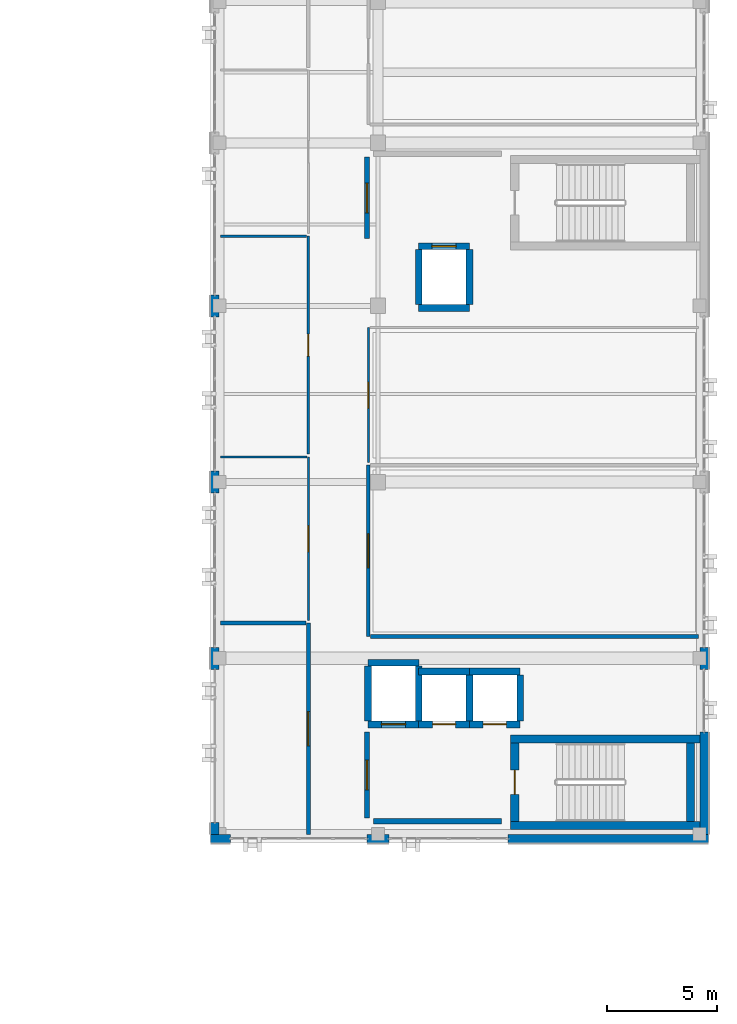
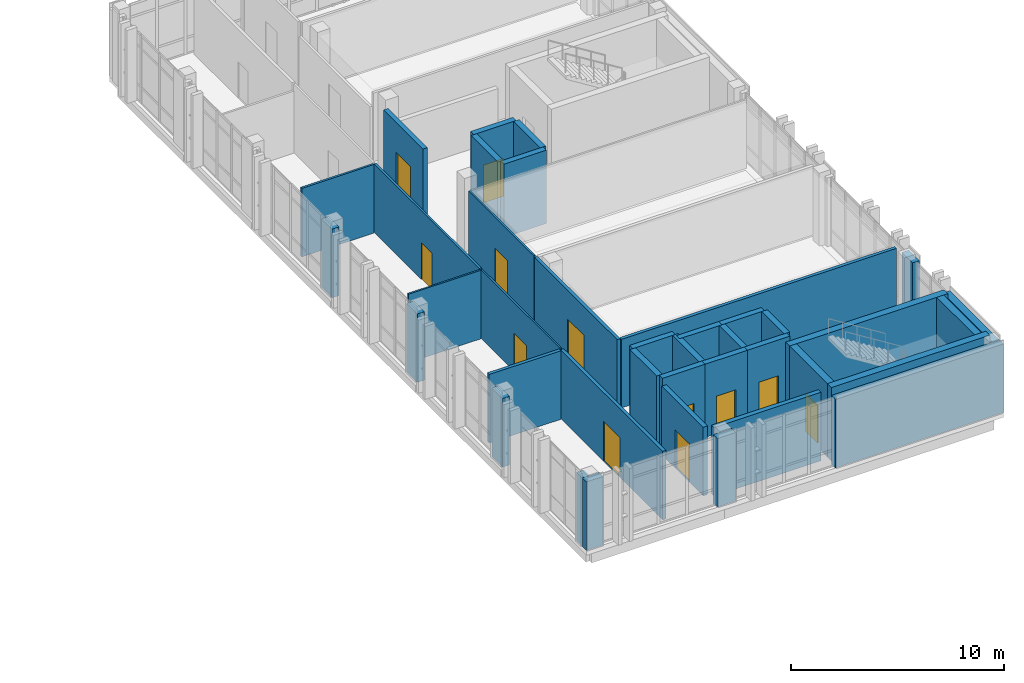
# One storey, part 68 of 90: 39 walls, 12 doors, 12 openings.
"""IFC4 building model written with IfcOpenShell, lengths in metres."""

from ifc_helpers import new_model, si_unit, direction, frame, frame_2d, origin, place, context, subcontext, project, spatial, rectangle, extrude, material, layer, layer_set, type_object, element, fill, save


model = new_model("IFC4")

# Units and contexts
model_context = context("Model", 3, precision=1e-05, world=origin(), true_north=direction((0.0, 1.0)))
body_context = subcontext(model_context, "Body", "Model", "MODEL_VIEW")
ifc_project = project(units=[si_unit("LENGTHUNIT", "METRE"), si_unit("AREAUNIT", "SQUARE_METRE"), si_unit("VOLUMEUNIT", "CUBIC_METRE"), si_unit("PLANEANGLEUNIT", "RADIAN"), si_unit("MASSUNIT", "GRAM", prefix="KILO")], contexts=[model_context])

# Site, building, storey
site_placement = place(None, origin())
site = spatial("IfcSite", under=ifc_project, at=site_placement, CompositionType="ELEMENT")
building_placement = place(site_placement, origin())
building = spatial("IfcBuilding", under=site, at=building_placement, Name="Qalavern Law Courts", CompositionType="ELEMENT")
storey_placement = place(building_placement, frame((0.0, 0.0, 22.800048828125)))
storey = spatial("IfcBuildingStorey", under=building, at=storey_placement, Name="L05", CompositionType="ELEMENT", Elevation=22.800048828125)

# Walls
ifc_material_1 = material(Name="Concrete C40/50", Category="concrete")
ifc_layer_1 = layer(ifc_material_1, 0.385009765625)
ifc_layer_set_1 = layer_set([ifc_layer_1], Name="Concrete C40/50")
wall_type_1 = type_object("IfcWallType", Name="ENV-EW-385", PredefinedType="SOLIDWALL", material=ifc_layer_set_1)
wall_1_placement = place(storey_placement, frame((84.199951171875, 41.21240234375, 0.0), z_axis=(0.0, 0.0, 1.0), x_axis=(1.0, 0.0, 0.0)))
element("IfcWall", 1, at=wall_1_placement, inside=storey, type_object=wall_type_1, Name="V4 exterior pier wall L05 south 1", PredefinedType="SOLIDWALL", context=body_context, shape_type="SweptSolid", body=[
    extrude(rectangle(XDim=0.900146484375, YDim=0.385009765625, at=frame_2d((0.4501953125, 0.0))), origin(), (0.0, 0.0, 1.0), 3.929931640625),
])
wall_2_placement = place(storey_placement, frame((91.300048828125, 41.21240234375, 0.0), z_axis=(0.0, 0.0, 1.0), x_axis=(1.0, 0.0, 0.0)))
element("IfcWall", 2, at=wall_2_placement, inside=storey, type_object=wall_type_1, Name="V4 exterior pier wall L05 south 2", PredefinedType="SOLIDWALL", context=body_context, shape_type="SweptSolid", body=[
    extrude(rectangle(XDim=1.0, YDim=0.385009765625, at=frame_2d((0.5, 0.0))), origin(), (0.0, 0.0, 1.0), 3.929931640625),
])
wall_3_placement = place(storey_placement, frame((97.699951171875, 41.21240234375, 0.0), z_axis=(0.0, 0.0, 1.0), x_axis=(1.0, 0.0, 0.0)))
element("IfcWall", 3, at=wall_3_placement, inside=storey, type_object=wall_type_1, Name="V4 exterior pier wall L05 south 3", PredefinedType="SOLIDWALL", context=body_context, shape_type="SweptSolid", body=[
    extrude(rectangle(XDim=9.10009765625, YDim=0.385009765625, at=frame_2d((4.550048828125, 0.0))), origin(), (0.0, 0.0, 1.0), 3.929931640625),
])
wall_4_placement = place(storey_placement, frame((106.607421875, 41.39990234375, 0.0), z_axis=(0.0, 0.0, 1.0), x_axis=(0.0, 1.0, 0.0)))
element("IfcWall", 4, at=wall_4_placement, inside=storey, type_object=wall_type_1, Name="V4 exterior pier wall L05 east 1", PredefinedType="SOLIDWALL", context=body_context, shape_type="SweptSolid", body=[
    extrude(rectangle(XDim=4.650146484375, YDim=0.385009765625, at=frame_2d((2.3251953125, 0.0))), origin(), (0.0, 0.0, 1.0), 3.929931640625),
])
for number, where, z_axis, x_axis, name in (
    (5, (106.607421875, 48.89990234375, 0.0), (0.0, 0.0, 1.0), (0.0, 1.0, 0.0), "V4 exterior pier wall L05 east 2"),
    (6, (84.392578125, 65.89990234375, 0.0), (0.0, 0.0, 1.0), (0.0, -1.0, 0.0), "V4 exterior pier wall L05 west 4"),
    (7, (84.392578125, 57.89990234375, 0.0), (0.0, 0.0, 1.0), (0.0, -1.0, 0.0), "V4 exterior pier wall L05 west 5"),
    (8, (84.392578125, 49.89990234375, 0.0), (0.0, 0.0, 1.0), (0.0, -1.0, 0.0), "V4 exterior pier wall L05 west 6"),
):
    element("IfcWall", number, at=place(storey_placement, frame(where, z_axis=z_axis, x_axis=x_axis)), inside=storey, type_object=wall_type_1, Name=name, PredefinedType="SOLIDWALL", context=body_context, shape_type="SweptSolid", body=[
        extrude(rectangle(XDim=1.0, YDim=0.385009765625, at=frame_2d((0.5, 0.0))), origin(), (0.0, 0.0, 1.0), 3.929931640625),
    ])
wall_5_placement = place(storey_placement, frame((84.392578125, 41.949951171875, 0.0), z_axis=(0.0, 0.0, 1.0), x_axis=(0.0, -1.0, 0.0)))
element("IfcWall", 9, at=wall_5_placement, inside=storey, type_object=wall_type_1, Name="V4 exterior pier wall L05 west 7", PredefinedType="SOLIDWALL", context=body_context, shape_type="SweptSolid", body=[
    extrude(rectangle(XDim=0.550048828125, YDim=0.385009765625, at=frame_2d((0.27490234375, 0.0))), origin(), (0.0, 0.0, 1.0), 3.929931640625),
])
ifc_material_2 = material(Name="Concrete C45/55", Category="concrete")
ifc_layer_2 = layer(ifc_material_2, 0.375)
ifc_layer_set_2 = layer_set([ifc_layer_2], Name="Concrete C45/55")
wall_type_2 = type_object("IfcWallType", Name="INT-CW-375", PredefinedType="SHEAR", material=ifc_layer_set_2)
wall_6_placement = place(storey_placement, frame((97.824951171875, 41.8125, 0.0), z_axis=(0.0, 0.0, 1.0), x_axis=(1.0, 0.0, 0.0)))
element("IfcWall", 10, at=wall_6_placement, inside=storey, type_object=wall_type_2, Name="Core K1A stair shear wall L05 south", PredefinedType="SHEAR", context=body_context, shape_type="SweptSolid", body=[
    extrude(rectangle(XDim=8.587158203125, YDim=0.375, at=frame_2d((4.29345703125, 0.0))), origin(), (0.0, 0.0, 1.0), 4.199951171875),
])
wall_7_placement = place(storey_placement, frame((105.987548828125, 42.0, 0.0), z_axis=(0.0, 0.0, 1.0), x_axis=(0.0, 1.0, 0.0)))
element("IfcWall", 11, at=wall_7_placement, inside=storey, type_object=wall_type_2, Name="Core K1A stair shear wall L05 east", PredefinedType="SHEAR", context=body_context, shape_type="SweptSolid", body=[
    extrude(rectangle(XDim=3.550048828125, YDim=0.375, at=frame_2d((1.77490234375, 0.0))), origin(), (0.0, 0.0, 1.0), 4.199951171875),
])
wall_8_placement = place(storey_placement, frame((106.412109375, 45.737548828125, 0.0), z_axis=(0.0, 0.0, 1.0), x_axis=(-1.0, 0.0, 0.0)))
element("IfcWall", 12, at=wall_8_placement, inside=storey, type_object=wall_type_2, Name="Core K1A stair shear wall L05 north", PredefinedType="SHEAR", context=body_context, shape_type="SweptSolid", body=[
    extrude(rectangle(XDim=8.587158203125, YDim=0.375, at=frame_2d((4.29345703125, 0.0))), origin(), (0.0, 0.0, 1.0), 4.199951171875),
])

# Wall, opening, door
wall_9_placement = place(storey_placement, frame((98.012451171875, 45.550048828125, 0.0), z_axis=(0.0, 0.0, 1.0), x_axis=(0.0, -1.0, 0.0)))
wall_9 = element("IfcWall", 13, at=wall_9_placement, inside=storey, type_object=wall_type_2, Name="Core K1A stair shear wall L05 west", PredefinedType="SHEAR", context=body_context, shape_type="SweptSolid", body=[
    extrude(rectangle(XDim=3.550048828125, YDim=0.375, at=frame_2d((1.77490234375, 0.0))), origin(), (0.0, 0.0, 1.0), 4.199951171875),
])
opening_1_placement = place(wall_9_placement, frame((1.22509765625, 0.0, 0.0)))
opening_1 = element("IfcOpeningElement", 14, at=opening_1_placement, cuts=wall_9, Name="Opening L05-D015", PredefinedType="OPENING", context=body_context, shape_type="SweptSolid", body=[
    extrude(rectangle(XDim=1.10009765625, YDim=2.14990234375, at=frame_2d((0.550048828125, 1.074951171875))), frame((0.0, 0.202392578125, 0.0), z_axis=(0.0, -1.0, 0.0), x_axis=(1.0, 0.0, 0.0)), (0.0, 0.0, 1.0), 0.40478515625),
])
ifc_material_3 = material(Name="Steel fire-rated stair enclosure door", Category="steel")
door_type_1 = type_object("IfcDoorType", Name="INT-FD-1100x2150", OperationType="NOTDEFINED", PredefinedType="DOOR", material=ifc_material_3)
door_1_placement = place(opening_1_placement, frame((1.10009765625, 0.0, 0.0), z_axis=(0.0, 0.0, 1.0), x_axis=(-1.0, 0.0, 0.0)))
door_1 = element("IfcDoor", 15, at=door_1_placement, inside=storey, type_object=door_type_1, Name="Stair K1A fire door L05", OperationType="SINGLE_SWING_RIGHT", OverallHeight=2.14990234375, OverallWidth=1.10009765625, PredefinedType="DOOR", context=body_context, shape_type="SweptSolid", body=[
    extrude(rectangle(XDim=1.10009765625, YDim=2.14990234375, at=frame_2d((0.550048828125, 1.074951171875))), frame((0.0, 0.02490234375, 0.0), z_axis=(0.0, -1.0, 0.0), x_axis=(1.0, 0.0, 0.0)), (0.0, 0.0, 1.0), 0.050048828125),
])
fill(opening_1, door_1)

ifc_layer_3 = layer(ifc_material_1, 0.2451171875)
ifc_layer_set_3 = layer_set([ifc_layer_3], Name="Concrete C40/50")
wall_type_3 = type_object("IfcWallType", Name="INT-FW-245", PredefinedType="PARTITIONING", material=ifc_layer_set_3)
wall_10_placement = place(storey_placement, frame((91.300048828125, 42.14990234375, 0.0), z_axis=(0.0, 0.0, 1.0), x_axis=(0.0, 1.0, 0.0)))
wall_10 = element("IfcWall", 16, at=wall_10_placement, inside=storey, type_object=wall_type_3, Name="Core K1A firefighting/stair lobby fire wall L05", PredefinedType="PARTITIONING", context=body_context, shape_type="SweptSolid", body=[
    extrude(rectangle(XDim=3.900146484375, YDim=0.2451171875, at=frame_2d((1.9501953125, 0.0))), origin(), (0.0, 0.0, 1.0), 3.929931640625),
])
opening_2_placement = place(wall_10_placement, frame((1.27490234375, 0.0, 0.0)))
opening_2 = element("IfcOpeningElement", 17, at=opening_2_placement, cuts=wall_10, Name="Opening L05-D016", PredefinedType="OPENING", context=body_context, shape_type="SweptSolid", body=[
    extrude(rectangle(XDim=1.35009765625, YDim=2.199951171875, at=frame_2d((0.675048828125, 1.10009765625))), frame((0.0, 0.137451171875, 0.0), z_axis=(0.0, -1.0, 0.0), x_axis=(1.0, 0.0, 0.0)), (0.0, 0.0, 1.0), 0.27490234375),
])
ifc_material_4 = material(Name="Steel fire-rated frame and acoustic timber leaves", Category="steel")
door_type_2 = type_object("IfcDoorType", Name="INT-FD-1350x2200", OperationType="DOUBLE_DOOR_SINGLE_SWING", PredefinedType="DOOR", material=ifc_material_4)
door_2_placement = place(opening_2_placement, origin())
door_2 = element("IfcDoor", 18, at=door_2_placement, inside=storey, type_object=door_type_2, Name="Core K1A lobby fire door L05", OperationType="DOUBLE_DOOR_SINGLE_SWING", OverallHeight=2.199951171875, OverallWidth=1.35009765625, PredefinedType="DOOR", context=body_context, shape_type="SweptSolid", body=[
    extrude(rectangle(XDim=1.35009765625, YDim=2.199951171875, at=frame_2d((0.675048828125, 1.10009765625))), frame((0.0, 0.02490234375, 0.0), z_axis=(0.0, -1.0, 0.0), x_axis=(1.0, 0.0, 0.0)), (0.0, 0.0, 1.0), 0.050048828125),
])
fill(opening_2, door_2)

# Wall
wall_11_placement = place(storey_placement, frame((91.60009765625, 42.0, 0.0), z_axis=(0.0, 0.0, 1.0), x_axis=(1.0, 0.0, 0.0)))
element("IfcWall", 19, at=wall_11_placement, inside=storey, type_object=wall_type_3, Name="Core K1A lobby return wall L05 south", PredefinedType="PARTITIONING", context=body_context, shape_type="SweptSolid", body=[
    extrude(rectangle(XDim=5.7998046875, YDim=0.2451171875, at=frame_2d((2.89990234375, 0.0))), origin(), (0.0, 0.0, 1.0), 3.929931640625),
])

# Wall, opening, door
wall_12_placement = place(storey_placement, frame((91.300048828125, 68.449951171875, 0.0), z_axis=(0.0, 0.0, 1.0), x_axis=(0.0, 1.0, 0.0)))
wall_12 = element("IfcWall", 20, at=wall_12_placement, inside=storey, type_object=wall_type_3, Name="Core K1B firefighting/stair lobby fire wall L05", PredefinedType="PARTITIONING", context=body_context, shape_type="SweptSolid", body=[
    extrude(rectangle(XDim=3.699951171875, YDim=0.2451171875, at=frame_2d((1.85009765625, 0.0))), origin(), (0.0, 0.0, 1.0), 3.929931640625),
])
opening_3_placement = place(wall_12_placement, frame((1.175048828125, 0.0, 0.0)))
opening_3 = element("IfcOpeningElement", 21, at=opening_3_placement, cuts=wall_12, Name="Opening L05-D040", PredefinedType="OPENING", context=body_context, shape_type="SweptSolid", body=[
    extrude(rectangle(XDim=1.35009765625, YDim=2.199951171875, at=frame_2d((0.675048828125, 1.10009765625))), frame((0.0, 0.137451171875, 0.0), z_axis=(0.0, -1.0, 0.0), x_axis=(1.0, 0.0, 0.0)), (0.0, 0.0, 1.0), 0.27490234375),
])
door_3_placement = place(opening_3_placement, origin())
door_3 = element("IfcDoor", 22, at=door_3_placement, inside=storey, type_object=door_type_2, Name="Core K1B lobby fire door L05", OperationType="DOUBLE_DOOR_SINGLE_SWING", OverallHeight=2.199951171875, OverallWidth=1.35009765625, PredefinedType="DOOR", context=body_context, shape_type="SweptSolid", body=[
    extrude(rectangle(XDim=1.35009765625, YDim=2.199951171875, at=frame_2d((0.675048828125, 1.10009765625))), frame((0.0, 0.02490234375, 0.0), z_axis=(0.0, -1.0, 0.0), x_axis=(1.0, 0.0, 0.0)), (0.0, 0.0, 1.0), 0.050048828125),
])
fill(opening_3, door_3)

ifc_material_5 = material(Name="Gypsum shaft/chase partition")
ifc_layer_4 = layer(ifc_material_5, 0.092041015625)
ifc_layer_set_4 = layer_set([ifc_layer_4], Name="Gypsum shaft/chase partition")
wall_type_4 = type_object("IfcWallType", Name="INT-PW-092", PredefinedType="PARTITIONING", material=ifc_layer_set_4)
wall_13_placement = place(storey_placement, frame((88.639892578125, 51.125, 0.0), z_axis=(0.0, 0.0, 1.0), x_axis=(0.0, 1.0, 0.0)))
wall_13 = element("IfcWall", 23, at=wall_13_placement, inside=storey, type_object=wall_type_4, Name="Civil Courtroom corridor partition L05", PredefinedType="PARTITIONING", context=body_context, shape_type="SweptSolid", body=[
    extrude(rectangle(XDim=7.422119140625, YDim=0.092041015625, at=frame_2d((3.7109375, 0.0))), origin(), (0.0, 0.0, 1.0), 3.929931640625),
])
opening_4_placement = place(wall_13_placement, frame((3.12109375, 0.0, 0.0)))
opening_4 = element("IfcOpeningElement", 24, at=opening_4_placement, cuts=wall_13, Name="Opening L05-D294", PredefinedType="OPENING", context=body_context, shape_type="SweptSolid", body=[
    extrude(rectangle(XDim=1.179931640625, YDim=2.159912109375, at=frame_2d((0.58984375, 1.080078125))), frame((0.0, 0.06103515625, 0.0), z_axis=(0.0, -1.0, 0.0), x_axis=(1.0, 0.0, 0.0)), (0.0, 0.0, 1.0), 0.121826171875),
])
ifc_material_6 = material(Name="Acoustic oak Jury Deliberation door")
door_type_3 = type_object("IfcDoorType", Name="INT-ID-1180x2160", OperationType="NOTDEFINED", PredefinedType="DOOR", material=ifc_material_6)
door_4_placement = place(opening_4_placement, frame((1.179931640625, 0.0, 0.0), z_axis=(0.0, 0.0, 1.0), x_axis=(-1.0, 0.0, 0.0)))
door_4 = element("IfcDoor", 25, at=door_4_placement, inside=storey, type_object=door_type_3, Name="Civil Courtroom door L05", OperationType="SINGLE_SWING_RIGHT", OverallHeight=2.159912109375, OverallWidth=1.179931640625, PredefinedType="DOOR", context=body_context, shape_type="SweptSolid", body=[
    extrude(rectangle(XDim=1.179931640625, YDim=2.159912109375, at=frame_2d((0.58984375, 1.080078125))), frame((0.0, 0.02490234375, 0.0), z_axis=(0.0, -1.0, 0.0), x_axis=(1.0, 0.0, 0.0)), (0.0, 0.0, 1.0), 0.050048828125),
])
fill(opening_4, door_4)

# Wall
wall_14_placement = place(storey_placement, frame((84.639892578125, 58.547119140625, 0.0), z_axis=(0.0, 0.0, 1.0), x_axis=(1.0, 0.0, 0.0)))
element("IfcWall", 26, at=wall_14_placement, inside=storey, type_object=wall_type_4, Name="Civil Courtroom cross partition L05 north", PredefinedType="PARTITIONING", context=body_context, shape_type="SweptSolid", body=[
    extrude(rectangle(XDim=3.93408203125, YDim=0.092041015625, at=frame_2d((1.967041015625, 0.0))), origin(), (0.0, 0.0, 1.0), 3.929931640625),
])

# Wall, opening, door
wall_15_placement = place(storey_placement, frame((91.360107421875, 58.284912109375, 0.0), z_axis=(0.0, 0.0, 1.0), x_axis=(0.0, 1.0, 0.0)))
wall_15 = element("IfcWall", 27, at=wall_15_placement, inside=storey, type_object=wall_type_4, Name="Civil Courtroom corridor partition L05", PredefinedType="PARTITIONING", context=body_context, shape_type="SweptSolid", body=[
    extrude(rectangle(XDim=6.125, YDim=0.092041015625, at=frame_2d((3.0625, 0.0))), origin(), (0.0, 0.0, 1.0), 3.929931640625),
])
opening_5_placement = place(wall_15_placement, frame((2.472412109375, 0.0, 0.0)))
opening_5 = element("IfcOpeningElement", 28, at=opening_5_placement, cuts=wall_15, Name="Opening L05-D299", PredefinedType="OPENING", context=body_context, shape_type="SweptSolid", body=[
    extrude(rectangle(XDim=1.179931640625, YDim=2.159912109375, at=frame_2d((0.58984375, 1.080078125))), frame((0.0, 0.06103515625, 0.0), z_axis=(0.0, -1.0, 0.0), x_axis=(1.0, 0.0, 0.0)), (0.0, 0.0, 1.0), 0.121826171875),
])
door_5_placement = place(opening_5_placement, origin())
door_5 = element("IfcDoor", 29, at=door_5_placement, inside=storey, type_object=door_type_3, Name="Civil Courtroom door L05", OperationType="SINGLE_SWING_RIGHT", OverallHeight=2.159912109375, OverallWidth=1.179931640625, PredefinedType="DOOR", context=body_context, shape_type="SweptSolid", body=[
    extrude(rectangle(XDim=1.179931640625, YDim=2.159912109375, at=frame_2d((0.58984375, 1.080078125))), frame((0.0, 0.02490234375, 0.0), z_axis=(0.0, -1.0, 0.0), x_axis=(1.0, 0.0, 0.0)), (0.0, 0.0, 1.0), 0.050048828125),
])
fill(opening_5, door_5)

ifc_material_7 = material(Name="Gypsum stud partition")
ifc_layer_5 = layer(ifc_material_7, 0.112060546875)
ifc_layer_set_5 = layer_set([ifc_layer_5], Name="Gypsum stud partition")
wall_type_5 = type_object("IfcWallType", Name="INT-PW-112", PredefinedType="PARTITIONING", material=ifc_layer_set_5)
wall_16_placement = place(storey_placement, frame((88.639892578125, 58.6669921875, 0.0), z_axis=(0.0, 0.0, 1.0), x_axis=(0.0, 1.0, 0.0)))
wall_16 = element("IfcWall", 30, at=wall_16_placement, inside=storey, type_object=wall_type_5, Name="Judges' Chambers corridor partition L05", PredefinedType="PARTITIONING", context=body_context, shape_type="SweptSolid", body=[
    extrude(rectangle(XDim=9.89794921875, YDim=0.112060546875, at=frame_2d((4.948974609375, 0.0))), origin(), (0.0, 0.0, 1.0), 3.929931640625),
])
opening_6_placement = place(wall_16_placement, frame((4.448974609375, 0.0, 0.0)))
opening_6 = element("IfcOpeningElement", 31, at=opening_6_placement, cuts=wall_16, Name="Opening L05-D295", PredefinedType="OPENING", context=body_context, shape_type="SweptSolid", body=[
    extrude(rectangle(XDim=1.0, YDim=2.10009765625, at=frame_2d((0.5, 1.050048828125))), frame((0.0, 0.07080078125, 0.0), z_axis=(0.0, -1.0, 0.0), x_axis=(1.0, 0.0, 0.0)), (0.0, 0.0, 1.0), 0.141845703125),
])
ifc_material_8 = material(Name="Timber Judicial Clerks' Office door", Category="wood")
door_type_4 = type_object("IfcDoorType", Name="INT-ID-1000x2100", OperationType="NOTDEFINED", PredefinedType="DOOR", material=ifc_material_8)
door_6_placement = place(opening_6_placement, frame((1.0, 0.0, 0.0), z_axis=(0.0, 0.0, 1.0), x_axis=(-1.0, 0.0, 0.0)))
door_6 = element("IfcDoor", 32, at=door_6_placement, inside=storey, type_object=door_type_4, Name="Judges' Chambers door L05", OperationType="SINGLE_SWING_LEFT", OverallHeight=2.10009765625, OverallWidth=1.0, PredefinedType="DOOR", context=body_context, shape_type="SweptSolid", body=[
    extrude(rectangle(XDim=1.0, YDim=2.10009765625, at=frame_2d((0.5, 1.050048828125))), frame((0.0, 0.02490234375, 0.0), z_axis=(0.0, -1.0, 0.0), x_axis=(1.0, 0.0, 0.0)), (0.0, 0.0, 1.0), 0.050048828125),
])
fill(opening_6, door_6)

# Wall
wall_17_placement = place(storey_placement, frame((84.639892578125, 68.56494140625, 0.0), z_axis=(0.0, 0.0, 1.0), x_axis=(1.0, 0.0, 0.0)))
element("IfcWall", 33, at=wall_17_placement, inside=storey, type_object=wall_type_5, Name="Judges' Chambers cross partition L05 north", PredefinedType="PARTITIONING", context=body_context, shape_type="SweptSolid", body=[
    extrude(rectangle(XDim=3.924072265625, YDim=0.112060546875, at=frame_2d((1.9619140625, 0.0))), origin(), (0.0, 0.0, 1.0), 3.929931640625),
])

# Wall, opening, door
ifc_material_9 = material(Name="Gypsum acoustic stud partition")
ifc_layer_6 = layer(ifc_material_9, 0.174072265625)
ifc_layer_set_6 = layer_set([ifc_layer_6], Name="Gypsum acoustic stud partition")
wall_type_6 = type_object("IfcWallType", Name="INT-PW-174", PredefinedType="PARTITIONING", material=ifc_layer_set_6)
wall_18_placement = place(storey_placement, frame((88.639892578125, 41.39990234375, 0.0), z_axis=(0.0, 0.0, 1.0), x_axis=(0.0, 1.0, 0.0)))
wall_18 = element("IfcWall", 34, at=wall_18_placement, inside=storey, type_object=wall_type_6, Name="Appellate Courtroom corridor partition L05", PredefinedType="PARTITIONING", context=body_context, shape_type="SweptSolid", body=[
    extrude(rectangle(XDim=9.60498046875, YDim=0.174072265625, at=frame_2d((4.802490234375, 0.0))), origin(), (0.0, 0.0, 1.0), 3.929931640625),
])
opening_7_placement = place(wall_18_placement, frame((4.027587890625, 0.0, 0.0)))
opening_7 = element("IfcOpeningElement", 35, at=opening_7_placement, cuts=wall_18, Name="Opening L05-D293", PredefinedType="OPENING", context=body_context, shape_type="SweptSolid", body=[
    extrude(rectangle(XDim=1.550048828125, YDim=2.280029296875, at=frame_2d((0.77490234375, 1.14013671875))), frame((0.0, 0.10205078125, 0.0), z_axis=(0.0, -1.0, 0.0), x_axis=(1.0, 0.0, 0.0)), (0.0, 0.0, 1.0), 0.203857421875),
])
ifc_material_10 = material(Name="Acoustic oak double Civil Courtroom door")
door_type_5 = type_object("IfcDoorType", Name="INT-ID-1550x2280", OperationType="DOUBLE_DOOR_SINGLE_SWING", PredefinedType="DOOR", material=ifc_material_10)
door_7_placement = place(opening_7_placement, frame((1.550048828125, 0.0, 0.0), z_axis=(0.0, 0.0, 1.0), x_axis=(-1.0, 0.0, 0.0)))
door_7 = element("IfcDoor", 36, at=door_7_placement, inside=storey, type_object=door_type_5, Name="Appellate Courtroom door L05", OperationType="DOUBLE_DOOR_SINGLE_SWING", OverallHeight=2.280029296875, OverallWidth=1.550048828125, PredefinedType="DOOR", context=body_context, shape_type="SweptSolid", body=[
    extrude(rectangle(XDim=1.550048828125, YDim=2.280029296875, at=frame_2d((0.77490234375, 1.14013671875))), frame((0.0, 0.02490234375, 0.0), z_axis=(0.0, -1.0, 0.0), x_axis=(1.0, 0.0, 0.0)), (0.0, 0.0, 1.0), 0.050048828125),
])
fill(opening_7, door_7)

# Wall
wall_19_placement = place(storey_placement, frame((84.639892578125, 51.0048828125, 0.0), z_axis=(0.0, 0.0, 1.0), x_axis=(1.0, 0.0, 0.0)))
element("IfcWall", 37, at=wall_19_placement, inside=storey, type_object=wall_type_6, Name="Appellate Courtroom cross partition L05 north", PredefinedType="PARTITIONING", context=body_context, shape_type="SweptSolid", body=[
    extrude(rectangle(XDim=3.89306640625, YDim=0.174072265625, at=frame_2d((1.946533203125, 0.0))), origin(), (0.0, 0.0, 1.0), 3.929931640625),
])

# Wall, opening, door
wall_20_placement = place(storey_placement, frame((91.360107421875, 50.389892578125, 0.0), z_axis=(0.0, 0.0, 1.0), x_axis=(0.0, 1.0, 0.0)))
wall_20 = element("IfcWall", 38, at=wall_20_placement, inside=storey, type_object=wall_type_6, Name="Appellate Courtroom corridor partition L05", PredefinedType="PARTITIONING", context=body_context, shape_type="SweptSolid", body=[
    extrude(rectangle(XDim=7.775146484375, YDim=0.174072265625, at=frame_2d((3.8876953125, 0.0))), origin(), (0.0, 0.0, 1.0), 3.929931640625),
])
opening_8_placement = place(wall_20_placement, frame((3.112548828125, 0.0, 0.0)))
opening_8 = element("IfcOpeningElement", 39, at=opening_8_placement, cuts=wall_20, Name="Opening L05-D298", PredefinedType="OPENING", context=body_context, shape_type="SweptSolid", body=[
    extrude(rectangle(XDim=1.550048828125, YDim=2.280029296875, at=frame_2d((0.77490234375, 1.14013671875))), frame((0.0, 0.10205078125, 0.0), z_axis=(0.0, -1.0, 0.0), x_axis=(1.0, 0.0, 0.0)), (0.0, 0.0, 1.0), 0.203857421875),
])
door_8_placement = place(opening_8_placement, origin())
door_8 = element("IfcDoor", 40, at=door_8_placement, inside=storey, type_object=door_type_5, Name="Appellate Courtroom door L05", OperationType="DOUBLE_DOOR_SINGLE_SWING", OverallHeight=2.280029296875, OverallWidth=1.550048828125, PredefinedType="DOOR", context=body_context, shape_type="SweptSolid", body=[
    extrude(rectangle(XDim=1.550048828125, YDim=2.280029296875, at=frame_2d((0.77490234375, 1.14013671875))), frame((0.0, 0.02490234375, 0.0), z_axis=(0.0, -1.0, 0.0), x_axis=(1.0, 0.0, 0.0)), (0.0, 0.0, 1.0), 0.050048828125),
])
fill(opening_8, door_8)

# Wall
wall_21_placement = place(storey_placement, frame((91.467041015625, 50.389892578125, 0.0), z_axis=(0.0, 0.0, 1.0), x_axis=(1.0, 0.0, 0.0)))
element("IfcWall", 41, at=wall_21_placement, inside=storey, type_object=wall_type_6, Name="Appellate Courtroom cross partition L05 south", PredefinedType="PARTITIONING", context=body_context, shape_type="SweptSolid", body=[
    extrude(rectangle(XDim=14.89306640625, YDim=0.174072265625, at=frame_2d((7.446533203125, 0.0))), origin(), (0.0, 0.0, 1.0), 3.929931640625),
])

# Wall, opening, door
ifc_layer_7 = layer(ifc_material_2, 0.304931640625)
ifc_layer_set_7 = layer_set([ifc_layer_7], Name="Concrete C45/55")
wall_type_7 = type_object("IfcWallType", Name="INT-SW-305", PredefinedType="SHEAR", material=ifc_layer_set_7)
wall_22_placement = place(storey_placement, frame((91.347412109375, 46.3974609375, 0.0), z_axis=(0.0, 0.0, 1.0), x_axis=(1.0, 0.0, 0.0)))
wall_22 = element("IfcWall", 42, at=wall_22_placement, inside=storey, type_object=wall_type_7, Name="Lift LF-FF1 shaft wall L05 south", PredefinedType="SHEAR", context=body_context, shape_type="SweptSolid", body=[
    extrude(rectangle(XDim=2.30517578125, YDim=0.304931640625, at=frame_2d((1.152587890625, 0.0))), origin(), (0.0, 0.0, 1.0), 4.199951171875),
])
opening_9_placement = place(wall_22_placement, frame((0.6025390625, 0.0, 0.0)))
opening_9 = element("IfcOpeningElement", 43, at=opening_9_placement, cuts=wall_22, Name="Opening LD-LF-FF1-L05", PredefinedType="OPENING", context=body_context, shape_type="SweptSolid", body=[
    extrude(rectangle(XDim=1.10009765625, YDim=2.159912109375, at=frame_2d((0.550048828125, 1.080078125))), frame((0.0, 0.16748046875, 0.0), z_axis=(0.0, -1.0, 0.0), x_axis=(1.0, 0.0, 0.0)), (0.0, 0.0, 1.0), 0.334716796875),
])
ifc_material_11 = material(Name="Stainless steel firefighting lift sliding landing door", Category="steel")
door_type_6 = type_object("IfcDoorType", Name="INT-LD-1100x2160", OperationType="DOUBLE_DOOR_SLIDING", PredefinedType="DOOR", material=ifc_material_11)
door_9_placement = place(opening_9_placement, origin())
door_9 = element("IfcDoor", 44, at=door_9_placement, inside=storey, type_object=door_type_6, Name="Lift LF-FF1 sliding landing door L05", OperationType="DOUBLE_DOOR_SLIDING", OverallHeight=2.159912109375, OverallWidth=1.10009765625, PredefinedType="DOOR", context=body_context, shape_type="SweptSolid", body=[
    extrude(rectangle(XDim=1.10009765625, YDim=2.159912109375, at=frame_2d((0.550048828125, 1.080078125))), frame((0.0, 0.02490234375, 0.0), z_axis=(0.0, -1.0, 0.0), x_axis=(1.0, 0.0, 0.0)), (0.0, 0.0, 1.0), 0.050048828125),
])
fill(opening_9, door_9)

# Walls
wall_23_placement = place(storey_placement, frame((93.652587890625, 46.550048828125, 0.0), z_axis=(0.0, 0.0, 1.0), x_axis=(0.0, 1.0, 0.0)))
element("IfcWall", 45, at=wall_23_placement, inside=storey, type_object=wall_type_7, Name="Lift LF-FF1 shaft wall L05 east", PredefinedType="SHEAR", context=body_context, shape_type="SweptSolid", body=[
    extrude(rectangle(XDim=2.5, YDim=0.304931640625, at=frame_2d((1.25, 0.0))), origin(), (0.0, 0.0, 1.0), 4.199951171875),
])
wall_24_placement = place(storey_placement, frame((93.652587890625, 49.202392578125, 0.0), z_axis=(0.0, 0.0, 1.0), x_axis=(-1.0, 0.0, 0.0)))
element("IfcWall", 46, at=wall_24_placement, inside=storey, type_object=wall_type_7, Name="Lift LF-FF1 shaft wall L05 north", PredefinedType="SHEAR", context=body_context, shape_type="SweptSolid", body=[
    extrude(rectangle(XDim=2.30517578125, YDim=0.304931640625, at=frame_2d((1.152587890625, 0.0))), origin(), (0.0, 0.0, 1.0), 4.199951171875),
])
wall_25_placement = place(storey_placement, frame((91.347412109375, 49.050048828125, 0.0), z_axis=(0.0, 0.0, 1.0), x_axis=(0.0, -1.0, 0.0)))
element("IfcWall", 47, at=wall_25_placement, inside=storey, type_object=wall_type_7, Name="Lift LF-FF1 shaft wall L05 west", PredefinedType="SHEAR", context=body_context, shape_type="SweptSolid", body=[
    extrude(rectangle(XDim=2.5, YDim=0.304931640625, at=frame_2d((1.25, 0.0))), origin(), (0.0, 0.0, 1.0), 4.199951171875),
])

# Wall, opening, door
wall_26_placement = place(storey_placement, frame((93.6474609375, 46.3974609375, 0.0), z_axis=(0.0, 0.0, 1.0), x_axis=(1.0, 0.0, 0.0)))
wall_26 = element("IfcWall", 48, at=wall_26_placement, inside=storey, type_object=wall_type_7, Name="Lift LF-P1 shaft wall L05 south", PredefinedType="SHEAR", context=body_context, shape_type="SweptSolid", body=[
    extrude(rectangle(XDim=2.304931640625, YDim=0.304931640625, at=frame_2d((1.15234375, 0.0))), origin(), (0.0, 0.0, 1.0), 4.199951171875),
])
opening_10_placement = place(wall_26_placement, frame((0.62744140625, 0.0, 0.0)))
opening_10 = element("IfcOpeningElement", 49, at=opening_10_placement, cuts=wall_26, Name="Opening LD-LF-P1-L05", PredefinedType="OPENING", context=body_context, shape_type="SweptSolid", body=[
    extrude(rectangle(XDim=1.050048828125, YDim=2.14990234375, at=frame_2d((0.52490234375, 1.074951171875))), frame((0.0, 0.16748046875, 0.0), z_axis=(0.0, -1.0, 0.0), x_axis=(1.0, 0.0, 0.0)), (0.0, 0.0, 1.0), 0.334716796875),
])
ifc_material_12 = material(Name="Brushed stainless steel passenger lift sliding landing door", Category="steel")
door_type_7 = type_object("IfcDoorType", Name="INT-LD-1050x2150", OperationType="DOUBLE_DOOR_SLIDING", PredefinedType="DOOR", material=ifc_material_12)
door_10_placement = place(opening_10_placement, origin())
door_10 = element("IfcDoor", 50, at=door_10_placement, inside=storey, type_object=door_type_7, Name="Lift LF-P1 sliding landing door L05", OperationType="DOUBLE_DOOR_SLIDING", OverallHeight=2.14990234375, OverallWidth=1.050048828125, PredefinedType="DOOR", context=body_context, shape_type="SweptSolid", body=[
    extrude(rectangle(XDim=1.050048828125, YDim=2.14990234375, at=frame_2d((0.52490234375, 1.074951171875))), frame((0.0, 0.02490234375, 0.0), z_axis=(0.0, -1.0, 0.0), x_axis=(1.0, 0.0, 0.0)), (0.0, 0.0, 1.0), 0.050048828125),
])
fill(opening_10, door_10)

# Walls
wall_27_placement = place(storey_placement, frame((95.952392578125, 46.550048828125, 0.0), z_axis=(0.0, 0.0, 1.0), x_axis=(0.0, 1.0, 0.0)))
element("IfcWall", 51, at=wall_27_placement, inside=storey, type_object=wall_type_7, Name="Lift LF-P1 shaft wall L05 east", PredefinedType="SHEAR", context=body_context, shape_type="SweptSolid", body=[
    extrude(rectangle(XDim=2.099853515625, YDim=0.304931640625, at=frame_2d((1.0498046875, 0.0))), origin(), (0.0, 0.0, 1.0), 4.199951171875),
])
wall_28_placement = place(storey_placement, frame((95.952392578125, 48.802490234375, 0.0), z_axis=(0.0, 0.0, 1.0), x_axis=(-1.0, 0.0, 0.0)))
element("IfcWall", 52, at=wall_28_placement, inside=storey, type_object=wall_type_7, Name="Lift LF-P1 shaft wall L05 north", PredefinedType="SHEAR", context=body_context, shape_type="SweptSolid", body=[
    extrude(rectangle(XDim=2.304931640625, YDim=0.304931640625, at=frame_2d((1.15234375, 0.0))), origin(), (0.0, 0.0, 1.0), 4.199951171875),
])

# Wall, opening, door
wall_29_placement = place(storey_placement, frame((95.947509765625, 46.3974609375, 0.0), z_axis=(0.0, 0.0, 1.0), x_axis=(1.0, 0.0, 0.0)))
wall_29 = element("IfcWall", 53, at=wall_29_placement, inside=storey, type_object=wall_type_7, Name="Lift LF-P2 shaft wall L05 south", PredefinedType="SHEAR", context=body_context, shape_type="SweptSolid", body=[
    extrude(rectangle(XDim=2.304931640625, YDim=0.304931640625, at=frame_2d((1.15234375, 0.0))), origin(), (0.0, 0.0, 1.0), 4.199951171875),
])
opening_11_placement = place(wall_29_placement, frame((0.62744140625, 0.0, 0.0)))
opening_11 = element("IfcOpeningElement", 54, at=opening_11_placement, cuts=wall_29, Name="Opening LD-LF-P2-L05", PredefinedType="OPENING", context=body_context, shape_type="SweptSolid", body=[
    extrude(rectangle(XDim=1.050048828125, YDim=2.14990234375, at=frame_2d((0.52490234375, 1.074951171875))), frame((0.0, 0.16748046875, 0.0), z_axis=(0.0, -1.0, 0.0), x_axis=(1.0, 0.0, 0.0)), (0.0, 0.0, 1.0), 0.334716796875),
])
door_11_placement = place(opening_11_placement, origin())
door_11 = element("IfcDoor", 55, at=door_11_placement, inside=storey, type_object=door_type_7, Name="Lift LF-P2 sliding landing door L05", OperationType="DOUBLE_DOOR_SLIDING", OverallHeight=2.14990234375, OverallWidth=1.050048828125, PredefinedType="DOOR", context=body_context, shape_type="SweptSolid", body=[
    extrude(rectangle(XDim=1.050048828125, YDim=2.14990234375, at=frame_2d((0.52490234375, 1.074951171875))), frame((0.0, 0.02490234375, 0.0), z_axis=(0.0, -1.0, 0.0), x_axis=(1.0, 0.0, 0.0)), (0.0, 0.0, 1.0), 0.050048828125),
])
fill(opening_11, door_11)

# Walls
wall_30_placement = place(storey_placement, frame((98.25244140625, 46.550048828125, 0.0), z_axis=(0.0, 0.0, 1.0), x_axis=(0.0, 1.0, 0.0)))
element("IfcWall", 56, at=wall_30_placement, inside=storey, type_object=wall_type_7, Name="Lift LF-P2 shaft wall L05 east", PredefinedType="SHEAR", context=body_context, shape_type="SweptSolid", body=[
    extrude(rectangle(XDim=2.099853515625, YDim=0.304931640625, at=frame_2d((1.0498046875, 0.0))), origin(), (0.0, 0.0, 1.0), 4.199951171875),
])
for number, where, z_axis, x_axis, name in (
    (57, (98.25244140625, 48.802490234375, 0.0), (0.0, 0.0, 1.0), (-1.0, 0.0, 0.0), "Lift LF-P2 shaft wall L05 north"),
    (58, (93.6474609375, 65.297607421875, 0.0), (0.0, 0.0, 1.0), (1.0, 0.0, 0.0), "Lift LF-FF2 shaft wall L05 south"),
):
    element("IfcWall", number, at=place(storey_placement, frame(where, z_axis=z_axis, x_axis=x_axis)), inside=storey, type_object=wall_type_7, Name=name, PredefinedType="SHEAR", context=body_context, shape_type="SweptSolid", body=[
        extrude(rectangle(XDim=2.304931640625, YDim=0.304931640625, at=frame_2d((1.15234375, 0.0))), origin(), (0.0, 0.0, 1.0), 4.199951171875),
    ])
wall_31_placement = place(storey_placement, frame((95.952392578125, 65.449951171875, 0.0), z_axis=(0.0, 0.0, 1.0), x_axis=(0.0, 1.0, 0.0)))
element("IfcWall", 59, at=wall_31_placement, inside=storey, type_object=wall_type_7, Name="Lift LF-FF2 shaft wall L05 east", PredefinedType="SHEAR", context=body_context, shape_type="SweptSolid", body=[
    extrude(rectangle(XDim=2.5, YDim=0.304931640625, at=frame_2d((1.25, 0.0))), origin(), (0.0, 0.0, 1.0), 4.199951171875),
])

# Wall, opening, door
wall_32_placement = place(storey_placement, frame((95.952392578125, 68.1025390625, 0.0), z_axis=(0.0, 0.0, 1.0), x_axis=(-1.0, 0.0, 0.0)))
wall_32 = element("IfcWall", 60, at=wall_32_placement, inside=storey, type_object=wall_type_7, Name="Lift LF-FF2 shaft wall L05 north", PredefinedType="SHEAR", context=body_context, shape_type="SweptSolid", body=[
    extrude(rectangle(XDim=2.304931640625, YDim=0.304931640625, at=frame_2d((1.15234375, 0.0))), origin(), (0.0, 0.0, 1.0), 4.199951171875),
])
opening_12_placement = place(wall_32_placement, frame((0.6025390625, 0.0, 0.0)))
opening_12 = element("IfcOpeningElement", 61, at=opening_12_placement, cuts=wall_32, Name="Opening LD-LF-FF2-L05", PredefinedType="OPENING", context=body_context, shape_type="SweptSolid", body=[
    extrude(rectangle(XDim=1.10009765625, YDim=2.159912109375, at=frame_2d((0.550048828125, 1.080078125))), frame((0.0, 0.16748046875, 0.0), z_axis=(0.0, -1.0, 0.0), x_axis=(1.0, 0.0, 0.0)), (0.0, 0.0, 1.0), 0.334716796875),
])
door_12_placement = place(opening_12_placement, origin())
door_12 = element("IfcDoor", 62, at=door_12_placement, inside=storey, type_object=door_type_6, Name="Lift LF-FF2 sliding landing door L05", OperationType="DOUBLE_DOOR_SLIDING", OverallHeight=2.159912109375, OverallWidth=1.10009765625, PredefinedType="DOOR", context=body_context, shape_type="SweptSolid", body=[
    extrude(rectangle(XDim=1.10009765625, YDim=2.159912109375, at=frame_2d((0.550048828125, 1.080078125))), frame((0.0, 0.02490234375, 0.0), z_axis=(0.0, -1.0, 0.0), x_axis=(1.0, 0.0, 0.0)), (0.0, 0.0, 1.0), 0.050048828125),
])
fill(opening_12, door_12)

# Wall
wall_33_placement = place(storey_placement, frame((93.6474609375, 67.949951171875, 0.0), z_axis=(0.0, 0.0, 1.0), x_axis=(0.0, -1.0, 0.0)))
element("IfcWall", 63, at=wall_33_placement, inside=storey, type_object=wall_type_7, Name="Lift LF-FF2 shaft wall L05 west", PredefinedType="SHEAR", context=body_context, shape_type="SweptSolid", body=[
    extrude(rectangle(XDim=2.5, YDim=0.304931640625, at=frame_2d((1.25, 0.0))), origin(), (0.0, 0.0, 1.0), 4.199951171875),
])

save(model, "model.ifc")
